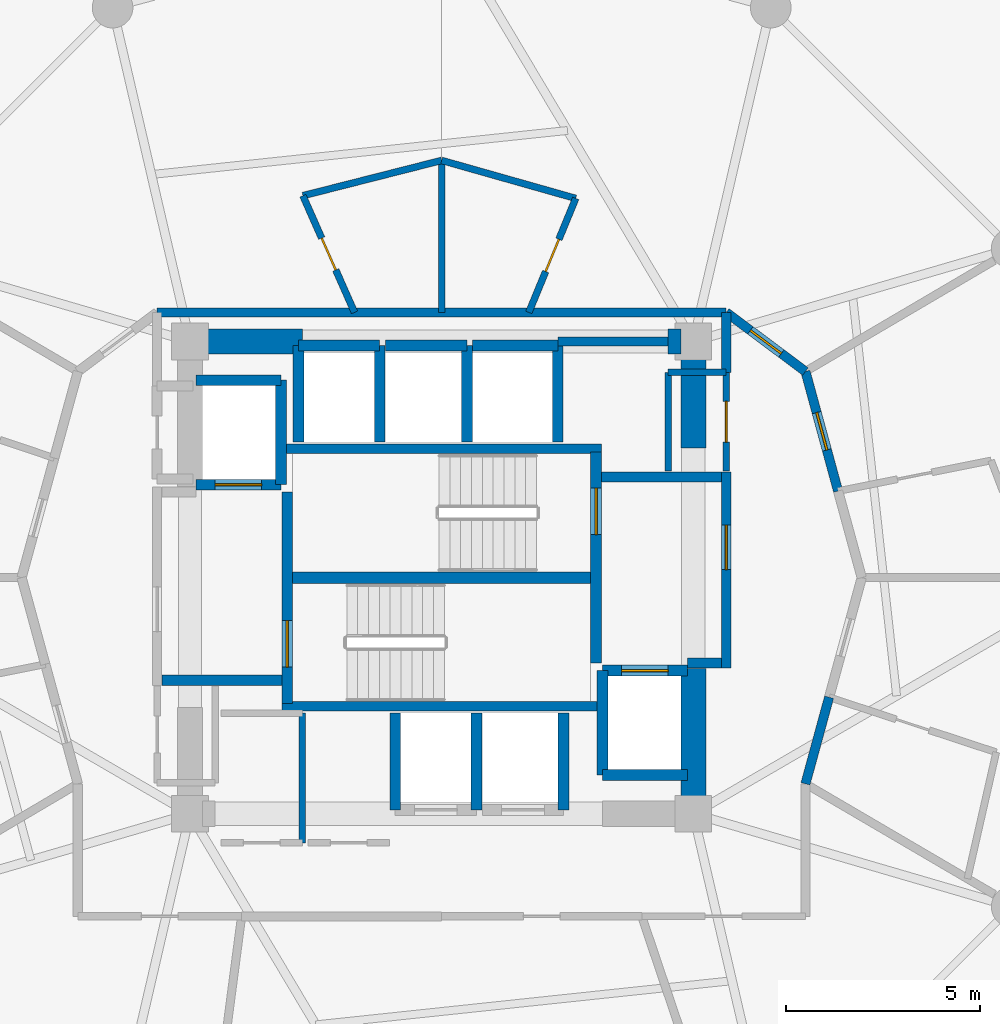
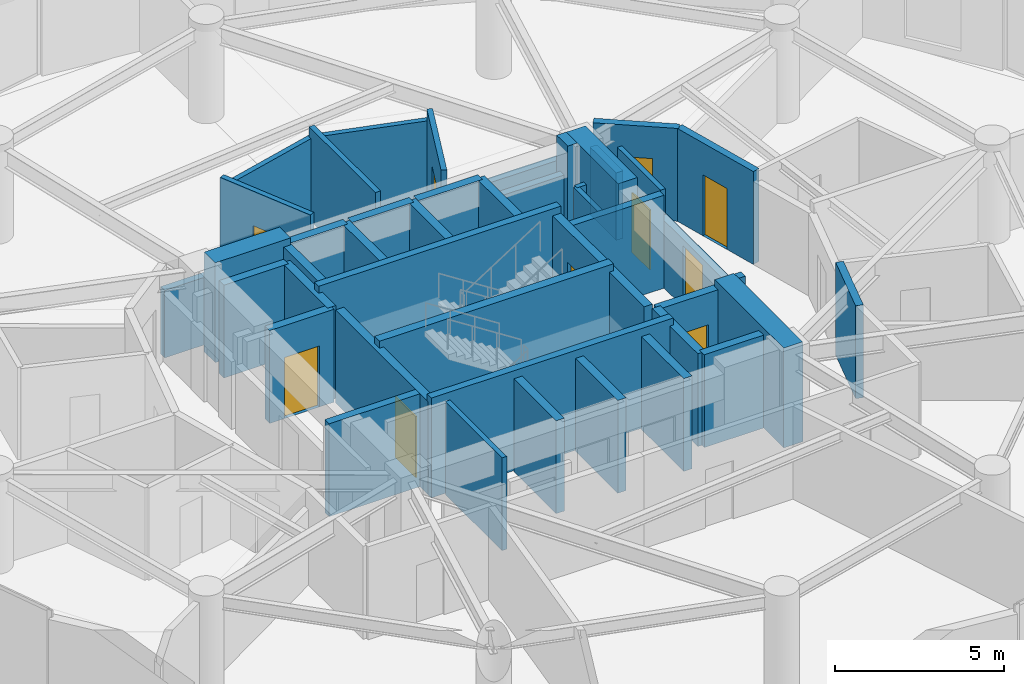
# One storey, part 22 of 25: 44 walls, 10 doors, 10 openings.
"""IFC4 building model written with IfcOpenShell, lengths in metres."""

from ifc_helpers import new_model, si_unit, direction, frame, frame_2d, origin, place, context, subcontext, project, spatial, rectangle, extrude, material, layer, layer_set, type_object, element, fill, save


model = new_model("IFC4")

# Units and contexts
model_context = context("Model", 3, precision=1e-05, world=origin(), true_north=direction((0.0, 1.0)))
body_context = subcontext(model_context, "Body", "Model", "MODEL_VIEW")
ifc_project = project(units=[si_unit("LENGTHUNIT", "METRE"), si_unit("AREAUNIT", "SQUARE_METRE"), si_unit("VOLUMEUNIT", "CUBIC_METRE"), si_unit("PLANEANGLEUNIT", "RADIAN"), si_unit("MASSUNIT", "GRAM", prefix="KILO")], contexts=[model_context])

# Site, building, storey
site_placement = place(None, origin())
site = spatial("IfcSite", under=ifc_project, at=site_placement, CompositionType="ELEMENT")
building_placement = place(site_placement, origin())
building = spatial("IfcBuilding", under=site, at=building_placement, Name="Solvirekh Grand Hotel", CompositionType="ELEMENT")
storey_placement = place(building_placement, frame((0.0, 0.0, 106.199951171875)))
storey = spatial("IfcBuildingStorey", under=building, at=storey_placement, Name="L26", CompositionType="ELEMENT", Elevation=106.199951171875)

# Walls
ifc_material_1 = material(Name="Concrete C50/60", Category="concrete")
ifc_layer_1 = layer(ifc_material_1, 0.35009765625)
ifc_layer_set_1 = layer_set([ifc_layer_1], Name="Concrete C50/60")
wall_type_1 = type_object("IfcWallType", Name="CoreDivWall_RC350", PredefinedType="SOLIDWALL", material=ifc_layer_set_1)
for number, where, z_axis, x_axis, name in (
    (1, (-4.1298828125, -3.324951171875, 0.0), (0.0, 0.0, 1.0), (1.0, 0.0, 0.0), "L26 core stair box wall ST-S"),
    (2, (-4.1298828125, 3.324951171875, 0.0), (0.0, 0.0, 1.0), (1.0, 0.0, 0.0), "L26 core stair box wall ST-N"),
):
    element("IfcWall", number, at=place(storey_placement, frame(where, z_axis=z_axis, x_axis=x_axis)), inside=storey, type_object=wall_type_1, Name=name, PredefinedType="SOLIDWALL", context=body_context, shape_type="SweptSolid", body=[
        extrude(rectangle(XDim=8.259765625, YDim=0.25, at=frame_2d((4.1298828125, 0.0))), origin(), (0.0, 0.0, 1.0), 3.60009765625),
    ])
ifc_material_2 = material(Name="Concrete C40/50", Category="concrete")
ifc_layer_2 = layer(ifc_material_2, 0.280029296875)
ifc_layer_set_2 = layer_set([ifc_layer_2], Name="Concrete C40/50")
wall_type_2 = type_object("IfcWallType", Name="CoreShaftWall_RC280", PredefinedType="SOLIDWALL", material=ifc_layer_set_2)
for number, where, z_axis, x_axis, name in (
    (3, (-1.199951171875, -3.5, 0.0), (0.0, 0.0, 1.0), (0.0, -1.0, 0.0), "L26 MP-1 hoistway W wall"),
    (4, (0.89990234375, -6.0, 0.0), (0.0, 0.0, 1.0), (0.0, 1.0, 0.0), "L26 MP-1 hoistway E wall"),
    (5, (3.14990234375, -6.0, 0.0), (0.0, 0.0, 1.0), (0.0, 1.0, 0.0), "L26 MP-2 hoistway E wall"),
):
    element("IfcWall", number, at=place(storey_placement, frame(where, z_axis=z_axis, x_axis=x_axis)), inside=storey, type_object=wall_type_2, Name=name, PredefinedType="SOLIDWALL", context=body_context, shape_type="SweptSolid", body=[
        extrude(rectangle(XDim=2.5, YDim=0.280029296875, at=frame_2d((1.25, 0.0))), origin(), (0.0, 0.0, 1.0), 3.35009765625),
    ])
wall_1_placement = place(storey_placement, frame((-1.60009765625, 6.0, 0.0), z_axis=(0.0, 0.0, 1.0), x_axis=(-1.0, 0.0, 0.0)))
element("IfcWall", 6, at=wall_1_placement, inside=storey, type_object=wall_type_2, Name="L26 HP-1 hoistway N wall", PredefinedType="SOLIDWALL", context=body_context, shape_type="SweptSolid", body=[
    extrude(rectangle(XDim=2.099853515625, YDim=0.280029296875, at=frame_2d((1.0498046875, 0.0))), origin(), (0.0, 0.0, 1.0), 3.35009765625),
])
for number, where, z_axis, x_axis, name in (
    (7, (-3.699951171875, 6.0, 0.0), (0.0, 0.0, 1.0), (0.0, -1.0, 0.0), "L26 HP-1 hoistway W wall"),
    (8, (-1.60009765625, 3.5, 0.0), (0.0, 0.0, 1.0), (0.0, 1.0, 0.0), "L26 HP-1 hoistway E wall"),
):
    element("IfcWall", number, at=place(storey_placement, frame(where, z_axis=z_axis, x_axis=x_axis)), inside=storey, type_object=wall_type_2, Name=name, PredefinedType="SOLIDWALL", context=body_context, shape_type="SweptSolid", body=[
        extrude(rectangle(XDim=2.5, YDim=0.280029296875, at=frame_2d((1.25, 0.0))), origin(), (0.0, 0.0, 1.0), 3.35009765625),
    ])
wall_2_placement = place(storey_placement, frame((0.64990234375, 6.0, 0.0), z_axis=(0.0, 0.0, 1.0), x_axis=(-1.0, 0.0, 0.0)))
element("IfcWall", 9, at=wall_2_placement, inside=storey, type_object=wall_type_2, Name="L26 HP-2 hoistway N wall", PredefinedType="SOLIDWALL", context=body_context, shape_type="SweptSolid", body=[
    extrude(rectangle(XDim=2.099853515625, YDim=0.280029296875, at=frame_2d((1.0498046875, 0.0))), origin(), (0.0, 0.0, 1.0), 3.35009765625),
])
wall_3_placement = place(storey_placement, frame((0.64990234375, 3.5, 0.0), z_axis=(0.0, 0.0, 1.0), x_axis=(0.0, 1.0, 0.0)))
element("IfcWall", 10, at=wall_3_placement, inside=storey, type_object=wall_type_2, Name="L26 HP-2 hoistway E wall", PredefinedType="SOLIDWALL", context=body_context, shape_type="SweptSolid", body=[
    extrude(rectangle(XDim=2.5, YDim=0.280029296875, at=frame_2d((1.25, 0.0))), origin(), (0.0, 0.0, 1.0), 3.35009765625),
])
wall_4_placement = place(storey_placement, frame((3.0, 6.0, 0.0), z_axis=(0.0, 0.0, 1.0), x_axis=(-1.0, 0.0, 0.0)))
element("IfcWall", 11, at=wall_4_placement, inside=storey, type_object=wall_type_2, Name="L26 EX-1 hoistway N wall", PredefinedType="SOLIDWALL", context=body_context, shape_type="SweptSolid", body=[
    extrude(rectangle(XDim=2.199951171875, YDim=0.280029296875, at=frame_2d((1.10009765625, 0.0))), origin(), (0.0, 0.0, 1.0), 3.35009765625),
])
wall_5_placement = place(storey_placement, frame((3.0, 3.5, 0.0), z_axis=(0.0, 0.0, 1.0), x_axis=(0.0, 1.0, 0.0)))
element("IfcWall", 12, at=wall_5_placement, inside=storey, type_object=wall_type_2, Name="L26 EX-1 hoistway E wall", PredefinedType="SOLIDWALL", context=body_context, shape_type="SweptSolid", body=[
    extrude(rectangle(XDim=2.5, YDim=0.280029296875, at=frame_2d((1.25, 0.0))), origin(), (0.0, 0.0, 1.0), 3.35009765625),
])

# Wall, opening, door
wall_6_placement = place(storey_placement, frame((-6.35009765625, 2.39990234375, 0.0), z_axis=(0.0, 0.0, 1.0), x_axis=(1.0, 0.0, 0.0)))
wall_6 = element("IfcWall", 13, at=wall_6_placement, inside=storey, type_object=wall_type_2, Name="L26 FL-1 hoistway S wall", PredefinedType="SOLIDWALL", context=body_context, shape_type="SweptSolid", body=[
    extrude(rectangle(XDim=2.2001953125, YDim=0.280029296875, at=frame_2d((1.10009765625, 0.0))), origin(), (0.0, 0.0, 1.0), 3.35009765625),
])
opening_1_placement = place(wall_6_placement, frame((0.5, 0.0, 0.0)))
opening_1 = element("IfcOpeningElement", 14, at=opening_1_placement, cuts=wall_6, Name="Opening LD02", PredefinedType="OPENING", context=body_context, shape_type="SweptSolid", body=[
    extrude(rectangle(XDim=1.199951171875, YDim=2.199951171875, at=frame_2d((0.60009765625, 1.10009765625))), frame((0.0, 0.14990234375, 0.0), z_axis=(0.0, -1.0, 0.0), x_axis=(1.0, 0.0, 0.0)), (0.0, 0.0, 1.0), 0.300048828125),
])
ifc_material_3 = material(Name="Fire-Rated Steel Door Assembly", Category="steel")
door_type_1 = type_object("IfcDoorType", Name="Door_LiftFF_1200X2200", OperationType="SLIDING_TO_LEFT", PredefinedType="DOOR", material=ifc_material_3)
door_1_placement = place(opening_1_placement, origin())
door_1 = element("IfcDoor", 15, at=door_1_placement, inside=storey, type_object=door_type_1, Name="L26 FL-1 sliding lift landing door", OperationType="SLIDING_TO_LEFT", OverallHeight=2.199951171875, OverallWidth=1.199951171875, PredefinedType="DOOR", context=body_context, shape_type="SweptSolid", body=[
    extrude(rectangle(XDim=1.199951171875, YDim=2.199951171875, at=frame_2d((0.60009765625, 1.10009765625))), frame((0.0, 0.02490234375, 0.0), z_axis=(0.0, -1.0, 0.0), x_axis=(1.0, 0.0, 0.0)), (0.0, 0.0, 1.0), 0.050048828125),
])
fill(opening_1, door_1)

# Walls
wall_7_placement = place(storey_placement, frame((-4.14990234375, 5.10009765625, 0.0), z_axis=(0.0, 0.0, 1.0), x_axis=(-1.0, 0.0, 0.0)))
element("IfcWall", 16, at=wall_7_placement, inside=storey, type_object=wall_type_2, Name="L26 FL-1 hoistway N wall", PredefinedType="SOLIDWALL", context=body_context, shape_type="SweptSolid", body=[
    extrude(rectangle(XDim=2.2001953125, YDim=0.280029296875, at=frame_2d((1.10009765625, 0.0))), origin(), (0.0, 0.0, 1.0), 3.35009765625),
])
wall_8_placement = place(storey_placement, frame((-4.14990234375, 2.39990234375, 0.0), z_axis=(0.0, 0.0, 1.0), x_axis=(0.0, 1.0, 0.0)))
element("IfcWall", 17, at=wall_8_placement, inside=storey, type_object=wall_type_2, Name="L26 FL-1 hoistway E wall", PredefinedType="SOLIDWALL", context=body_context, shape_type="SweptSolid", body=[
    extrude(rectangle(XDim=2.7001953125, YDim=0.280029296875, at=frame_2d((1.35009765625, 0.0))), origin(), (0.0, 0.0, 1.0), 3.35009765625),
])
wall_9_placement = place(storey_placement, frame((4.14990234375, -5.10009765625, 0.0), z_axis=(0.0, 0.0, 1.0), x_axis=(1.0, 0.0, 0.0)))
element("IfcWall", 18, at=wall_9_placement, inside=storey, type_object=wall_type_2, Name="L26 FL-2 hoistway S wall", PredefinedType="SOLIDWALL", context=body_context, shape_type="SweptSolid", body=[
    extrude(rectangle(XDim=2.2001953125, YDim=0.280029296875, at=frame_2d((1.10009765625, 0.0))), origin(), (0.0, 0.0, 1.0), 3.35009765625),
])

# Wall, opening, door
wall_10_placement = place(storey_placement, frame((6.35009765625, -2.39990234375, 0.0), z_axis=(0.0, 0.0, 1.0), x_axis=(-1.0, 0.0, 0.0)))
wall_10 = element("IfcWall", 19, at=wall_10_placement, inside=storey, type_object=wall_type_2, Name="L26 FL-2 hoistway N wall", PredefinedType="SOLIDWALL", context=body_context, shape_type="SweptSolid", body=[
    extrude(rectangle(XDim=2.2001953125, YDim=0.280029296875, at=frame_2d((1.10009765625, 0.0))), origin(), (0.0, 0.0, 1.0), 3.35009765625),
])
opening_2_placement = place(wall_10_placement, frame((0.5, 0.0, 0.0)))
opening_2 = element("IfcOpeningElement", 20, at=opening_2_placement, cuts=wall_10, Name="Opening LD02", PredefinedType="OPENING", context=body_context, shape_type="SweptSolid", body=[
    extrude(rectangle(XDim=1.199951171875, YDim=2.199951171875, at=frame_2d((0.60009765625, 1.10009765625))), frame((0.0, 0.14990234375, 0.0), z_axis=(0.0, -1.0, 0.0), x_axis=(1.0, 0.0, 0.0)), (0.0, 0.0, 1.0), 0.300048828125),
])
door_2_placement = place(opening_2_placement, origin())
door_2 = element("IfcDoor", 21, at=door_2_placement, inside=storey, type_object=door_type_1, Name="L26 FL-2 sliding lift landing door", OperationType="SLIDING_TO_LEFT", OverallHeight=2.199951171875, OverallWidth=1.199951171875, PredefinedType="DOOR", context=body_context, shape_type="SweptSolid", body=[
    extrude(rectangle(XDim=1.199951171875, YDim=2.199951171875, at=frame_2d((0.60009765625, 1.10009765625))), frame((0.0, 0.02490234375, 0.0), z_axis=(0.0, -1.0, 0.0), x_axis=(1.0, 0.0, 0.0)), (0.0, 0.0, 1.0), 0.050048828125),
])
fill(opening_2, door_2)

# Wall
wall_11_placement = place(storey_placement, frame((4.14990234375, -2.39990234375, 0.0), z_axis=(0.0, 0.0, 1.0), x_axis=(0.0, -1.0, 0.0)))
element("IfcWall", 22, at=wall_11_placement, inside=storey, type_object=wall_type_2, Name="L26 FL-2 hoistway W wall", PredefinedType="SOLIDWALL", context=body_context, shape_type="SweptSolid", body=[
    extrude(rectangle(XDim=2.7001953125, YDim=0.280029296875, at=frame_2d((1.35009765625, 0.0))), origin(), (0.0, 0.0, 1.0), 3.35009765625),
])

# Wall, opening, door
wall_12_placement = place(storey_placement, frame((-3.989990234375, -3.25, 0.0), z_axis=(0.0, 0.0, 1.0), x_axis=(0.0, 1.0, 0.0)))
wall_12 = element("IfcWall", 23, at=wall_12_placement, inside=storey, type_object=wall_type_2, Name="L26 west stair landing enclosure wall", PredefinedType="SOLIDWALL", context=body_context, shape_type="SweptSolid", body=[
    extrude(rectangle(XDim=5.4599609375, YDim=0.280029296875, at=frame_2d((2.72998046875, 0.0))), origin(), (0.0, 0.0, 1.0), 3.35009765625),
])
opening_3_placement = place(wall_12_placement, frame((0.93701171875, 0.0, 0.0)))
opening_3 = element("IfcOpeningElement", 24, at=opening_3_placement, cuts=wall_12, Name="Opening D05", PredefinedType="OPENING", context=body_context, shape_type="SweptSolid", body=[
    extrude(rectangle(XDim=1.199951171875, YDim=2.199951171875, at=frame_2d((0.60009765625, 1.10009765625))), frame((0.0, 0.14990234375, 0.0), z_axis=(0.0, -1.0, 0.0), x_axis=(1.0, 0.0, 0.0)), (0.0, 0.0, 1.0), 0.300048828125),
])
door_type_2 = type_object("IfcDoorType", Name="Door_StairCore_1200X2200", OperationType="NOTDEFINED", PredefinedType="DOOR", material=ifc_material_3)
door_3_placement = place(opening_3_placement, origin())
door_3 = element("IfcDoor", 25, at=door_3_placement, inside=storey, type_object=door_type_2, Name="L26 exit stair ST-1 fire door", OperationType="SINGLE_SWING_RIGHT", OverallHeight=2.199951171875, OverallWidth=1.199951171875, PredefinedType="DOOR", context=body_context, shape_type="SweptSolid", body=[
    extrude(rectangle(XDim=1.199951171875, YDim=2.199951171875, at=frame_2d((0.60009765625, 1.10009765625))), frame((0.0, 0.02490234375, 0.0), z_axis=(0.0, -1.0, 0.0), x_axis=(1.0, 0.0, 0.0)), (0.0, 0.0, 1.0), 0.050048828125),
])
fill(opening_3, door_3)

wall_13_placement = place(storey_placement, frame((3.989990234375, -2.2099609375, 0.0), z_axis=(0.0, 0.0, 1.0), x_axis=(0.0, 1.0, 0.0)))
wall_13 = element("IfcWall", 26, at=wall_13_placement, inside=storey, type_object=wall_type_2, Name="L26 east stair landing enclosure wall", PredefinedType="SOLIDWALL", context=body_context, shape_type="SweptSolid", body=[
    extrude(rectangle(XDim=5.4599609375, YDim=0.280029296875, at=frame_2d((2.72998046875, 0.0))), origin(), (0.0, 0.0, 1.0), 3.35009765625),
])
opening_4_placement = place(wall_13_placement, frame((3.322998046875, 0.0, 0.0)))
opening_4 = element("IfcOpeningElement", 27, at=opening_4_placement, cuts=wall_13, Name="Opening D05", PredefinedType="OPENING", context=body_context, shape_type="SweptSolid", body=[
    extrude(rectangle(XDim=1.199951171875, YDim=2.199951171875, at=frame_2d((0.60009765625, 1.10009765625))), frame((0.0, 0.14990234375, 0.0), z_axis=(0.0, -1.0, 0.0), x_axis=(1.0, 0.0, 0.0)), (0.0, 0.0, 1.0), 0.300048828125),
])
door_4_placement = place(opening_4_placement, origin())
door_4 = element("IfcDoor", 28, at=door_4_placement, inside=storey, type_object=door_type_2, Name="L26 exit stair ST-2 fire door", OperationType="SINGLE_SWING_LEFT", OverallHeight=2.199951171875, OverallWidth=1.199951171875, PredefinedType="DOOR", context=body_context, shape_type="SweptSolid", body=[
    extrude(rectangle(XDim=1.199951171875, YDim=2.199951171875, at=frame_2d((0.60009765625, 1.10009765625))), frame((0.0, 0.02490234375, 0.0), z_axis=(0.0, -1.0, 0.0), x_axis=(1.0, 0.0, 0.0)), (0.0, 0.0, 1.0), 0.050048828125),
])
fill(opening_4, door_4)

# Walls
ifc_layer_3 = layer(ifc_material_1, 0.64990234375)
ifc_layer_set_3 = layer_set([ifc_layer_3], Name="Concrete C50/60")
wall_type_3 = type_object("IfcWallType", Name="CoreWall_RC650", PredefinedType="SHEAR", material=ifc_layer_set_3)
wall_14_placement = place(storey_placement, frame((-3.989990234375, 0.0, 0.0), z_axis=(0.0, 0.0, 1.0), x_axis=(1.0, 0.0, 0.0)))
element("IfcWall", 29, at=wall_14_placement, inside=storey, type_object=wall_type_3, Name="L26 central stair-spine shear wall", PredefinedType="SHEAR", context=body_context, shape_type="SweptSolid", body=[
    extrude(rectangle(XDim=7.97998046875, YDim=0.300048828125, at=frame_2d((3.989990234375, 0.0))), origin(), (0.0, 0.0, 1.0), 3.60009765625),
])
wall_15_placement = place(storey_placement, frame((-6.175048828125, 6.10009765625, 0.0), z_axis=(0.0, 0.0, 1.0), x_axis=(1.0, 0.0, 0.0)))
element("IfcWall", 30, at=wall_15_placement, inside=storey, type_object=wall_type_3, Name="L26 core corner shear wall NW-N", PredefinedType="SHEAR", context=body_context, shape_type="SweptSolid", body=[
    extrude(rectangle(XDim=2.574951171875, YDim=0.64990234375, at=frame_2d((1.28759765625, 0.0))), origin(), (0.0, 0.0, 1.0), 3.60009765625),
])
wall_16_placement = place(storey_placement, frame((5.85009765625, 6.10009765625, 0.0), z_axis=(0.0, 0.0, 1.0), x_axis=(1.0, 0.0, 0.0)))
element("IfcWall", 31, at=wall_16_placement, inside=storey, type_object=wall_type_3, Name="L26 core corner shear wall NE-N", PredefinedType="SHEAR", context=body_context, shape_type="SweptSolid", body=[
    extrude(rectangle(XDim=0.324951171875, YDim=0.64990234375, at=frame_2d((0.16259765625, 0.0))), origin(), (0.0, 0.0, 1.0), 3.60009765625),
])
wall_17_placement = place(storey_placement, frame((6.5, -6.425048828125, 0.0), z_axis=(0.0, 0.0, 1.0), x_axis=(0.0, 1.0, 0.0)))
element("IfcWall", 32, at=wall_17_placement, inside=storey, type_object=wall_type_3, Name="L26 core corner shear wall ES-E", PredefinedType="SHEAR", context=body_context, shape_type="SweptSolid", body=[
    extrude(rectangle(XDim=4.074951171875, YDim=0.64990234375, at=frame_2d((2.03759765625, 0.0))), origin(), (0.0, 0.0, 1.0), 3.60009765625),
])
wall_18_placement = place(storey_placement, frame((6.5, 3.35009765625, 0.0), z_axis=(0.0, 0.0, 1.0), x_axis=(0.0, 1.0, 0.0)))
element("IfcWall", 33, at=wall_18_placement, inside=storey, type_object=wall_type_3, Name="L26 core corner shear wall EN-E", PredefinedType="SHEAR", context=body_context, shape_type="SweptSolid", body=[
    extrude(rectangle(XDim=3.074951171875, YDim=0.64990234375, at=frame_2d((1.53759765625, 0.0))), origin(), (0.0, 0.0, 1.0), 3.60009765625),
])

# Wall, opening, door
ifc_material_4 = material(Name="Acoustic Gypsum Partition Assembly")
ifc_layer_4 = layer(ifc_material_4, 0.1650390625)
ifc_layer_set_4 = layer_set([ifc_layer_4], Name="Acoustic Gypsum Partition Assembly")
wall_type_4 = type_object("IfcWallType", Name="Part_BOH_165", PredefinedType="PARTITIONING", material=ifc_layer_set_4)
wall_19_placement = place(storey_placement, frame((7.35009765625, 2.75, 0.0), z_axis=(0.0, 0.0, 1.0), x_axis=(0.0, 1.0, 0.0)))
wall_19 = element("IfcWall", 34, at=wall_19_placement, inside=storey, type_object=wall_type_4, Name="L26 L26 Telecom Distribution Room wall 2", PredefinedType="PARTITIONING", context=body_context, shape_type="SweptSolid", body=[
    extrude(rectangle(XDim=2.550048828125, YDim=0.1650390625, at=frame_2d((1.27490234375, 0.0))), origin(), (0.0, 0.0, 1.0), 3.35009765625),
])
opening_5_placement = place(wall_19_placement, frame((0.75, 0.0, 0.0)))
opening_5 = element("IfcOpeningElement", 35, at=opening_5_placement, cuts=wall_19, Name="Opening D12", PredefinedType="OPENING", context=body_context, shape_type="SweptSolid", body=[
    extrude(rectangle(XDim=1.050048828125, YDim=2.14990234375, at=frame_2d((0.52490234375, 1.074951171875))), frame((0.0, 0.092529296875, 0.0), z_axis=(0.0, -1.0, 0.0), x_axis=(1.0, 0.0, 0.0)), (0.0, 0.0, 1.0), 0.18505859375),
])
door_type_3 = type_object("IfcDoorType", Name="Door_PlantBOH_1050X2150", OperationType="NOTDEFINED", PredefinedType="DOOR", material=ifc_material_3)
door_5_placement = place(opening_5_placement, origin())
door_5 = element("IfcDoor", 36, at=door_5_placement, inside=storey, type_object=door_type_3, Name="L26 L26 Telecom Distribution Room door", OperationType="SINGLE_SWING_RIGHT", OverallHeight=2.14990234375, OverallWidth=1.050048828125, PredefinedType="DOOR", context=body_context, shape_type="SweptSolid", body=[
    extrude(rectangle(XDim=1.050048828125, YDim=2.14990234375, at=frame_2d((0.52490234375, 1.074951171875))), frame((0.0, 0.02490234375, 0.0), z_axis=(0.0, -1.0, 0.0), x_axis=(1.0, 0.0, 0.0)), (0.0, 0.0, 1.0), 0.050048828125),
])
fill(opening_5, door_5)

# Walls
wall_20_placement = place(storey_placement, frame((7.35009765625, 5.300048828125, 0.0), z_axis=(0.0, 0.0, 1.0), x_axis=(-1.0, 0.0, 0.0)))
element("IfcWall", 37, at=wall_20_placement, inside=storey, type_object=wall_type_4, Name="L26 L26 Telecom Distribution Room wall 3", PredefinedType="PARTITIONING", context=body_context, shape_type="SweptSolid", body=[
    extrude(rectangle(XDim=1.5, YDim=0.1650390625, at=frame_2d((0.75, 0.0))), origin(), (0.0, 0.0, 1.0), 2.43505859375),
])
wall_21_placement = place(storey_placement, frame((5.85009765625, 5.300048828125, 0.0), z_axis=(0.0, 0.0, 1.0), x_axis=(0.0, -1.0, 0.0)))
element("IfcWall", 38, at=wall_21_placement, inside=storey, type_object=wall_type_4, Name="L26 L26 Telecom Distribution Room wall 4", PredefinedType="PARTITIONING", context=body_context, shape_type="SweptSolid", body=[
    extrude(rectangle(XDim=2.550048828125, YDim=0.1650390625, at=frame_2d((1.27490234375, 0.0))), origin(), (0.0, 0.0, 1.0), 2.43505859375),
])
wall_22_placement = place(storey_placement, frame((-3.60009765625, -6.85009765625, 0.0), z_axis=(0.0, 0.0, 1.0), x_axis=(0.0, 1.0, 0.0)))
element("IfcWall", 39, at=wall_22_placement, inside=storey, type_object=wall_type_4, Name="L26 Mid-Zone Housekeeping Store wall 2", PredefinedType="PARTITIONING", context=body_context, shape_type="SweptSolid", body=[
    extrude(rectangle(XDim=3.35009765625, YDim=0.1650390625, at=frame_2d((1.675048828125, 0.0))), origin(), (0.0, 0.0, 1.0), 3.35009765625),
])

# Wall, opening, door
ifc_layer_5 = layer(ifc_material_4, 0.239990234375)
ifc_layer_set_5 = layer_set([ifc_layer_5], Name="Acoustic Gypsum Partition Assembly")
wall_type_5 = type_object("IfcWallType", Name="Part_Corridor_240", PredefinedType="PARTITIONING", material=ifc_layer_set_5)
wall_23_placement = place(storey_placement, frame((7.35009765625, -2.340087890625, 0.0), z_axis=(0.0, 0.0, 1.0), x_axis=(0.0, 1.0, 0.0)))
wall_23 = element("IfcWall", 40, at=wall_23_placement, inside=storey, type_object=wall_type_5, Name="L26 east firefighting lobby smoke screen wall", PredefinedType="PARTITIONING", context=body_context, shape_type="SweptSolid", body=[
    extrude(rectangle(XDim=5.070068359375, YDim=0.239990234375, at=frame_2d((2.53515625, 0.0))), origin(), (0.0, 0.0, 1.0), 2.43505859375),
])
opening_6_placement = place(wall_23_placement, frame((2.548095703125, 0.0, 0.0)))
opening_6 = element("IfcOpeningElement", 41, at=opening_6_placement, cuts=wall_23, Name="Opening D06", PredefinedType="OPENING", context=body_context, shape_type="SweptSolid", body=[
    extrude(rectangle(XDim=1.14990234375, YDim=2.199951171875, at=frame_2d((0.574951171875, 1.10009765625))), frame((0.0, 0.1298828125, 0.0), z_axis=(0.0, -1.0, 0.0), x_axis=(1.0, 0.0, 0.0)), (0.0, 0.0, 1.0), 0.260009765625),
])
door_type_4 = type_object("IfcDoorType", Name="Door_FFLobby_1150X2200", OperationType="NOTDEFINED", PredefinedType="DOOR", material=ifc_material_3)
door_6_placement = place(opening_6_placement, origin())
door_6 = element("IfcDoor", 42, at=door_6_placement, inside=storey, type_object=door_type_4, Name="L26 east firefighting lobby smoke door", OperationType="SINGLE_SWING_LEFT", OverallHeight=2.199951171875, OverallWidth=1.14990234375, PredefinedType="DOOR", context=body_context, shape_type="SweptSolid", body=[
    extrude(rectangle(XDim=1.14990234375, YDim=2.199951171875, at=frame_2d((0.574951171875, 1.10009765625))), frame((0.0, 0.02490234375, 0.0), z_axis=(0.0, -1.0, 0.0), x_axis=(1.0, 0.0, 0.0)), (0.0, 0.0, 1.0), 0.050048828125),
])
fill(opening_6, door_6)

# Walls
wall_24_placement = place(storey_placement, frame((-7.35009765625, 6.85009765625, 0.0), z_axis=(0.0, 0.0, 1.0), x_axis=(1.0, 0.0, 0.0)))
element("IfcWall", 43, at=wall_24_placement, inside=storey, type_object=wall_type_5, Name="L26 north core backing partition", PredefinedType="PARTITIONING", context=body_context, shape_type="SweptSolid", body=[
    extrude(rectangle(XDim=14.7001953125, YDim=0.239990234375, at=frame_2d((7.35009765625, 0.0))), origin(), (0.0, 0.0, 1.0), 2.43505859375),
])
wall_25_placement = place(storey_placement, frame((7.35009765625, 5.300048828125, 0.0), z_axis=(0.0, 0.0, 1.0), x_axis=(0.0, 1.0, 0.0)))
element("IfcWall", 44, at=wall_25_placement, inside=storey, type_object=wall_type_5, Name="L26 NE core cheek closure wall", PredefinedType="PARTITIONING", context=body_context, shape_type="SweptSolid", body=[
    extrude(rectangle(XDim=1.550048828125, YDim=0.239990234375, at=frame_2d((0.77490234375, 0.0))), origin(), (0.0, 0.0, 1.0), 2.43505859375),
])
wall_26_placement = place(storey_placement, frame((3.0, 6.10009765625, 0.0), z_axis=(0.0, 0.0, 1.0), x_axis=(1.0, 0.0, 0.0)))
element("IfcWall", 45, at=wall_26_placement, inside=storey, type_object=wall_type_5, Name="L26 north core shaft infill wall", PredefinedType="PARTITIONING", context=body_context, shape_type="SweptSolid", body=[
    extrude(rectangle(XDim=2.85009765625, YDim=0.239990234375, at=frame_2d((1.425048828125, 0.0))), origin(), (0.0, 0.0, 1.0), 2.43505859375),
])

# Wall, opening, door
wall_27_placement = place(storey_placement, frame((7.35009765625, 6.85009765625, 0.0), z_axis=(0.0, 0.0, 1.0), x_axis=(0.8017416961, -0.597670689205, 0.0)))
wall_27 = element("IfcWall", 46, at=wall_27_placement, inside=storey, type_object=wall_type_5, Name="L26 Panorama Suite 2801 entrance wall", PredefinedType="PARTITIONING", context=body_context, shape_type="SweptSolid", body=[
    extrude(rectangle(XDim=2.5517578125, YDim=0.239990234375, at=frame_2d((1.27587890625, 0.0))), origin(), (0.0, 0.0, 1.0), 3.35009765625),
])
opening_7_placement = place(wall_27_placement, frame((0.77587890625, 0.0, 0.0)))
opening_7 = element("IfcOpeningElement", 47, at=opening_7_placement, cuts=wall_27, Name="Opening D07", PredefinedType="OPENING", context=body_context, shape_type="SweptSolid", body=[
    extrude(rectangle(XDim=1.0, YDim=2.199951171875, at=frame_2d((0.5, 1.10009765625))), frame((0.0, 0.1298828125, 0.0), z_axis=(0.0, -1.0, 0.0), x_axis=(1.0, 0.0, 0.0)), (0.0, 0.0, 1.0), 0.260009765625),
])
door_type_5 = type_object("IfcDoorType", Name="Door_GuestEntry_1000X2200", OperationType="NOTDEFINED", PredefinedType="DOOR", material=ifc_material_3)
door_7_placement = place(opening_7_placement, origin())
door_7 = element("IfcDoor", 48, at=door_7_placement, inside=storey, type_object=door_type_5, Name="L26 Panorama Suite 2801 entrance door", OperationType="SINGLE_SWING_RIGHT", OverallHeight=2.199951171875, OverallWidth=1.0, PredefinedType="DOOR", context=body_context, shape_type="SweptSolid", body=[
    extrude(rectangle(XDim=1.0, YDim=2.199951171875, at=frame_2d((0.5, 1.10009765625))), frame((0.0, 0.02490234375, 0.0), z_axis=(0.0, -1.0, 0.0), x_axis=(1.0, 0.0, 0.0)), (0.0, 0.0, 1.0), 0.050048828125),
])
fill(opening_7, door_7)

# Wall
wall_28_placement = place(storey_placement, frame((9.39599609375, -5.324951171875, 0.0), z_axis=(0.0, 0.0, 1.0), x_axis=(0.263643210908, 0.964620265878, 0.0)))
element("IfcWall", 49, at=wall_28_placement, inside=storey, type_object=wall_type_5, Name="L26 En-suite Bathroom 2805 corridor backing wall", PredefinedType="PARTITIONING", context=body_context, shape_type="SweptSolid", body=[
    extrude(rectangle(XDim=2.31787109375, YDim=0.239990234375, at=frame_2d((1.158935546875, 0.0))), origin(), (0.0, 0.0, 1.0), 3.35009765625),
])

# Wall, opening, door
wall_29_placement = place(storey_placement, frame((10.239013671875, 2.236083984375, 0.0), z_axis=(0.0, 0.0, 1.0), x_axis=(-0.26329160366, 0.964716295831, 0.0)))
wall_29 = element("IfcWall", 50, at=wall_29_placement, inside=storey, type_object=wall_type_5, Name="L26 Deluxe Guestroom 2806 entrance wall", PredefinedType="PARTITIONING", context=body_context, shape_type="SweptSolid", body=[
    extrude(rectangle(XDim=3.201904296875, YDim=0.239990234375, at=frame_2d((1.60107421875, 0.0))), origin(), (0.0, 0.0, 1.0), 3.35009765625),
])
opening_8_placement = place(wall_29_placement, frame((1.10107421875, 0.0, 0.0)))
opening_8 = element("IfcOpeningElement", 51, at=opening_8_placement, cuts=wall_29, Name="Opening D07", PredefinedType="OPENING", context=body_context, shape_type="SweptSolid", body=[
    extrude(rectangle(XDim=1.0, YDim=2.199951171875, at=frame_2d((0.5, 1.10009765625))), frame((0.0, 0.1298828125, 0.0), z_axis=(0.0, -1.0, 0.0), x_axis=(1.0, 0.0, 0.0)), (0.0, 0.0, 1.0), 0.260009765625),
])
door_8_placement = place(opening_8_placement, origin())
door_8 = element("IfcDoor", 52, at=door_8_placement, inside=storey, type_object=door_type_5, Name="L26 Deluxe Guestroom 2806 entrance door", OperationType="SINGLE_SWING_RIGHT", OverallHeight=2.199951171875, OverallWidth=1.0, PredefinedType="DOOR", context=body_context, shape_type="SweptSolid", body=[
    extrude(rectangle(XDim=1.0, YDim=2.199951171875, at=frame_2d((0.5, 1.10009765625))), frame((0.0, 0.02490234375, 0.0), z_axis=(0.0, -1.0, 0.0), x_axis=(1.0, 0.0, 0.0)), (0.0, 0.0, 1.0), 0.050048828125),
])
fill(opening_8, door_8)

# Walls
ifc_layer_6 = layer(ifc_material_4, 0.260009765625)
ifc_layer_set_6 = layer_set([ifc_layer_6], Name="Acoustic Gypsum Partition Assembly")
wall_type_6 = type_object("IfcWallType", Name="Part_LobbyFF_260", PredefinedType="PARTITIONING", material=ifc_layer_set_6)
wall_30_placement = place(storey_placement, frame((-7.22509765625, -2.64990234375, 0.0), z_axis=(0.0, 0.0, 1.0), x_axis=(1.0, 0.0, 0.0)))
element("IfcWall", 53, at=wall_30_placement, inside=storey, type_object=wall_type_6, Name="L26 west firefighting lobby south partition", PredefinedType="PARTITIONING", context=body_context, shape_type="SweptSolid", body=[
    extrude(rectangle(XDim=3.09521484375, YDim=0.260009765625, at=frame_2d((1.547607421875, 0.0))), origin(), (0.0, 0.0, 1.0), 3.35009765625),
])
wall_31_placement = place(storey_placement, frame((6.35009765625, -2.2099609375, 0.0), z_axis=(0.0, 0.0, 1.0), x_axis=(1.0, 0.0, 0.0)))
element("IfcWall", 54, at=wall_31_placement, inside=storey, type_object=wall_type_6, Name="L26 east firefighting lobby SE cheek", PredefinedType="PARTITIONING", context=body_context, shape_type="SweptSolid", body=[
    extrude(rectangle(XDim=0.875, YDim=0.260009765625, at=frame_2d((0.4375, 0.0))), origin(), (0.0, 0.0, 1.0), 3.35009765625),
])
wall_32_placement = place(storey_placement, frame((4.1298828125, 2.60009765625, 0.0), z_axis=(0.0, 0.0, 1.0), x_axis=(1.0, 0.0, 0.0)))
element("IfcWall", 55, at=wall_32_placement, inside=storey, type_object=wall_type_6, Name="L26 east firefighting lobby north partition", PredefinedType="PARTITIONING", context=body_context, shape_type="SweptSolid", body=[
    extrude(rectangle(XDim=3.09521484375, YDim=0.260009765625, at=frame_2d((1.547607421875, 0.0))), origin(), (0.0, 0.0, 1.0), 3.35009765625),
])
ifc_layer_7 = layer(ifc_material_4, 0.175048828125)
ifc_layer_set_7 = layer_set([ifc_layer_7], Name="Acoustic Gypsum Partition Assembly")
wall_type_7 = type_object("IfcWallType", Name="Plumb_Ensuite_175", PredefinedType="PLUMBINGWALL", material=ifc_layer_set_7)
wall_33_placement = place(storey_placement, frame((0.0, 10.77587890625, 0.0), z_axis=(0.0, 0.0, 1.0), x_axis=(0.962140957865, -0.272552338459, 0.0)))
element("IfcWall", 56, at=wall_33_placement, inside=storey, type_object=wall_type_7, Name="L26 En-suite Bathroom 2801 outer plumbing wall", PredefinedType="PLUMBINGWALL", context=body_context, shape_type="SweptSolid", body=[
    extrude(rectangle(XDim=3.59912109375, YDim=0.175048828125, at=frame_2d((1.799560546875, 0.0))), origin(), (0.0, 0.0, 1.0), 2.985107421875),
])
wall_34_placement = place(storey_placement, frame((0.0, 10.77587890625, 0.0), z_axis=(0.0, 0.0, 1.0), x_axis=(0.0, -1.0, 0.0)))
element("IfcWall", 57, at=wall_34_placement, inside=storey, type_object=wall_type_7, Name="L26 En-suite Bathroom 2801 side plumbing wall", PredefinedType="PLUMBINGWALL", context=body_context, shape_type="SweptSolid", body=[
    extrude(rectangle(XDim=3.92578125, YDim=0.175048828125, at=frame_2d((1.962890625, 0.0))), origin(), (0.0, 0.0, 1.0), 3.35009765625),
])

# Wall, opening, door
wall_35_placement = place(storey_placement, frame((2.25, 6.85009765625, 0.0), z_axis=(0.0, 0.0, 1.0), x_axis=(0.380834625893, 0.924643167779, 0.0)))
wall_35 = element("IfcWall", 58, at=wall_35_placement, inside=storey, type_object=wall_type_7, Name="L26 En-suite Bathroom 2801 entry plumbing wall", PredefinedType="PLUMBINGWALL", context=body_context, shape_type="SweptSolid", body=[
    extrude(rectangle(XDim=3.184814453125, YDim=0.175048828125, at=frame_2d((1.59228515625, 0.0))), origin(), (0.0, 0.0, 1.0), 3.35009765625),
])
opening_9_placement = place(wall_35_placement, frame((1.14306640625, 0.0, 0.0)))
opening_9 = element("IfcOpeningElement", 59, at=opening_9_placement, cuts=wall_35, Name="Opening D09", PredefinedType="OPENING", context=body_context, shape_type="SweptSolid", body=[
    extrude(rectangle(XDim=0.89990234375, YDim=2.10009765625, at=frame_2d((0.449951171875, 1.050048828125))), frame((0.0, 0.09765625, 0.0), z_axis=(0.0, -1.0, 0.0), x_axis=(1.0, 0.0, 0.0)), (0.0, 0.0, 1.0), 0.195068359375),
])
ifc_material_5 = material(Name="Anodized Bronze Aluminium 6063-T6", Category="aluminium")
door_type_6 = type_object("IfcDoorType", Name="Door_Ensuite_900X2100", OperationType="NOTDEFINED", PredefinedType="DOOR", material=ifc_material_5)
door_9_placement = place(opening_9_placement, origin())
door_9 = element("IfcDoor", 60, at=door_9_placement, inside=storey, type_object=door_type_6, Name="L26 En-suite Bathroom 2801 door", OperationType="SINGLE_SWING_LEFT", OverallHeight=2.10009765625, OverallWidth=0.89990234375, PredefinedType="DOOR", context=body_context, shape_type="SweptSolid", body=[
    extrude(rectangle(XDim=0.89990234375, YDim=2.10009765625, at=frame_2d((0.449951171875, 1.050048828125))), frame((0.0, 0.02490234375, 0.0), z_axis=(0.0, -1.0, 0.0), x_axis=(1.0, 0.0, 0.0)), (0.0, 0.0, 1.0), 0.050048828125),
])
fill(opening_9, door_9)

# Wall
wall_36_placement = place(storey_placement, frame((-3.583984375, 9.864990234375, 0.0), z_axis=(0.0, 0.0, 1.0), x_axis=(0.969187500781, 0.246324152957, 0.0)))
element("IfcWall", 61, at=wall_36_placement, inside=storey, type_object=wall_type_7, Name="L26 En-suite Bathroom 2802 outer plumbing wall", PredefinedType="PLUMBINGWALL", context=body_context, shape_type="SweptSolid", body=[
    extrude(rectangle(XDim=3.697998046875, YDim=0.175048828125, at=frame_2d((1.84912109375, 0.0))), origin(), (0.0, 0.0, 1.0), 2.985107421875),
])

# Wall, opening, door
wall_37_placement = place(storey_placement, frame((-3.583984375, 9.864990234375, 0.0), z_axis=(0.0, 0.0, 1.0), x_axis=(0.404626310395, -0.914482120621, 0.0)))
wall_37 = element("IfcWall", 62, at=wall_37_placement, inside=storey, type_object=wall_type_7, Name="L26 En-suite Bathroom 2802 entry plumbing wall", PredefinedType="PLUMBINGWALL", context=body_context, shape_type="SweptSolid", body=[
    extrude(rectangle(XDim=3.296875, YDim=0.175048828125, at=frame_2d((1.6484375, 0.0))), origin(), (0.0, 0.0, 1.0), 3.35009765625),
])
opening_10_placement = place(wall_37_placement, frame((1.197998046875, 0.0, 0.0)))
opening_10 = element("IfcOpeningElement", 63, at=opening_10_placement, cuts=wall_37, Name="Opening D09", PredefinedType="OPENING", context=body_context, shape_type="SweptSolid", body=[
    extrude(rectangle(XDim=0.89990234375, YDim=2.10009765625, at=frame_2d((0.449951171875, 1.050048828125))), frame((0.0, 0.09765625, 0.0), z_axis=(0.0, -1.0, 0.0), x_axis=(1.0, 0.0, 0.0)), (0.0, 0.0, 1.0), 0.195068359375),
])
door_10_placement = place(opening_10_placement, origin())
door_10 = element("IfcDoor", 64, at=door_10_placement, inside=storey, type_object=door_type_6, Name="L26 En-suite Bathroom 2802 door", OperationType="SINGLE_SWING_LEFT", OverallHeight=2.10009765625, OverallWidth=0.89990234375, PredefinedType="DOOR", context=body_context, shape_type="SweptSolid", body=[
    extrude(rectangle(XDim=0.89990234375, YDim=2.10009765625, at=frame_2d((0.449951171875, 1.050048828125))), frame((0.0, 0.02490234375, 0.0), z_axis=(0.0, -1.0, 0.0), x_axis=(1.0, 0.0, 0.0)), (0.0, 0.0, 1.0), 0.050048828125),
])
fill(opening_10, door_10)

save(model, "model.ifc")
